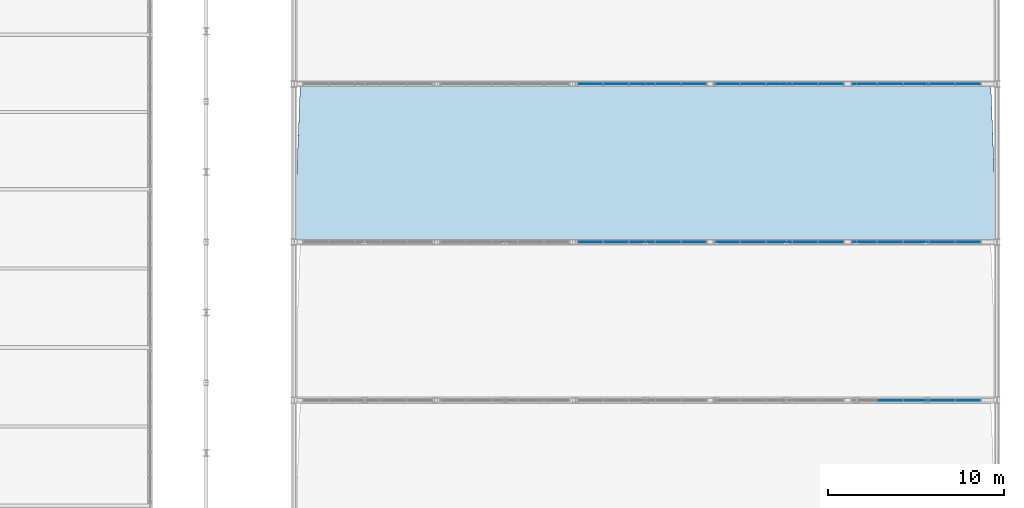
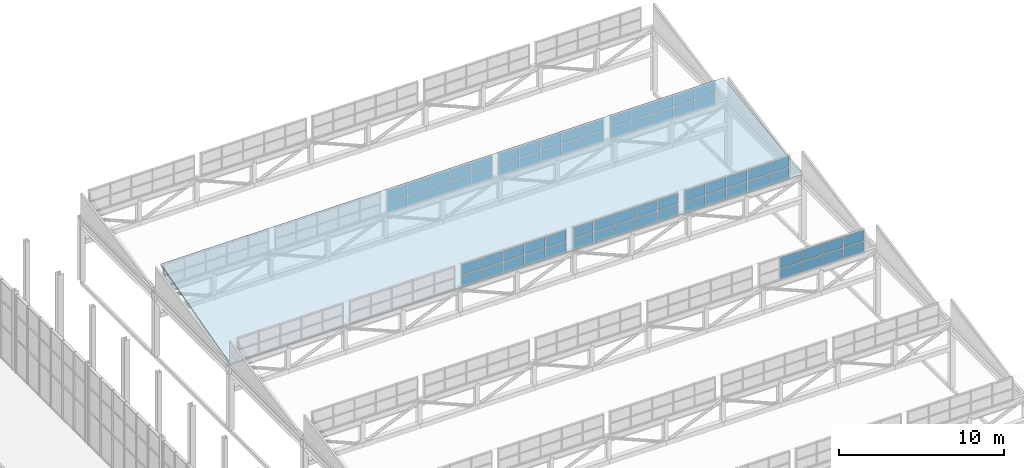
# One storey, part 118 of 159: 68 plates, 1 slab, 7 elements without a shape of their own.
"""IFC4 building model written with IfcOpenShell, lengths in metres."""

from ifc_helpers import new_model, si_unit, direction, frame, origin, origin_2d, place, context, subcontext, project, spatial, polyline, rectangle, outline, extrude, material, layer, layer_set, type_object, element, aggregate, save


model = new_model("IFC4")

# Units and contexts
model_context = context("Model", 3, precision=1e-05, world=origin(), true_north=direction((0.0, 1.0)))
body_context = subcontext(model_context, "Body", "Model", "MODEL_VIEW")
ifc_project = project(units=[si_unit("LENGTHUNIT", "METRE"), si_unit("AREAUNIT", "SQUARE_METRE"), si_unit("VOLUMEUNIT", "CUBIC_METRE"), si_unit("PLANEANGLEUNIT", "RADIAN"), si_unit("MASSUNIT", "GRAM", prefix="KILO")], contexts=[model_context])

# Site, building, storey
site_placement = place(None, origin())
site = spatial("IfcSite", under=ifc_project, at=site_placement, CompositionType="ELEMENT")
building_placement = place(site_placement, origin())
building = spatial("IfcBuilding", under=site, at=building_placement, Name="Cazmaro Siding Exhibition Halls", CompositionType="ELEMENT")
storey_placement = place(building_placement, frame((0.0, 0.0, 6.0)))
storey = spatial("IfcBuildingStorey", under=building, at=storey_placement, Name="L01", CompositionType="ELEMENT", Elevation=6.0)

# Curtain wall, plates
ifc_material_1 = material(Name="Anodized Bronze Aluminum and Solar-Control Low-E Glazing", Category="aluminium")
ifc_layer_1 = layer(ifc_material_1, 0.159912109375)
ifc_layer_set_1 = layer_set([ifc_layer_1], Name="Anodized Bronze Aluminum and Solar-Control Low-E Glazing")
curtain_wall_type = type_object("IfcCurtainWallType", Name="CWS-04", PredefinedType="USERDEFINED", material=ifc_layer_set_1)
curtain_wall_1_placement = place(storey_placement, origin())
curtain_wall_1 = element("IfcCurtainWall", 1, at=curtain_wall_1_placement, inside=storey, type_object=curtain_wall_type, Name="Clerestory Curtain Wall CWS-04 CW-124", ObjectType="CLERESTORY CURTAIN WALL", PredefinedType="USERDEFINED")
ifc_material_2 = material(Name="Solar-Control Low-E Double Insulating Glass", Category="glass")
ifc_layer_2 = layer(ifc_material_2, 0.028076171875)
ifc_layer_set_2 = layer_set([ifc_layer_2], Name="Solar-Control Low-E Double Insulating Glass")
plate_type = type_object("IfcPlateType", Name="CWP-04", PredefinedType="CURTAIN_PANEL", material=ifc_layer_set_2)
plate_1_placement = place(storey_placement, frame((214.344970703125, 91.0, 4.85986328125), z_axis=(0.0, 0.0, 1.0), x_axis=(-1.0, 0.0, 0.0)))
plate_1 = element("IfcPlate", 2, at=plate_1_placement, type_object=plate_type, Name="CWS-04 panel 1.1", PredefinedType="CURTAIN_PANEL", context=body_context, shape_type="SweptSolid", body=[
    extrude(rectangle(XDim=1.389892578125, YDim=0.028076171875, at=origin_2d()), origin(), (0.0, 0.0, 1.0), 0.7900390625),
])
plate_2_placement = place(storey_placement, frame((214.344970703125, 91.0, 5.7099609375), z_axis=(0.0, 0.0, 1.0), x_axis=(-1.0, 0.0, 0.0)))
plate_2 = element("IfcPlate", 3, at=plate_2_placement, type_object=plate_type, Name="CWS-04 panel 1.2", PredefinedType="CURTAIN_PANEL", context=body_context, shape_type="SweptSolid", body=[
    extrude(rectangle(XDim=1.389892578125, YDim=0.028076171875, at=origin_2d()), origin(), (0.0, 0.0, 1.0), 0.780029296875),
])
plate_3_placement = place(storey_placement, frame((212.8798828125, 91.0, 4.85986328125), z_axis=(0.0, 0.0, 1.0), x_axis=(-1.0, 0.0, 0.0)))
plate_3 = element("IfcPlate", 4, at=plate_3_placement, type_object=plate_type, Name="CWS-04 panel 2.1", PredefinedType="CURTAIN_PANEL", context=body_context, shape_type="SweptSolid", body=[
    extrude(rectangle(XDim=1.419921875, YDim=0.028076171875, at=origin_2d()), origin(), (0.0, 0.0, 1.0), 0.7900390625),
])
plate_4_placement = place(storey_placement, frame((212.8798828125, 91.0, 5.7099609375), z_axis=(0.0, 0.0, 1.0), x_axis=(-1.0, 0.0, 0.0)))
plate_4 = element("IfcPlate", 5, at=plate_4_placement, type_object=plate_type, Name="CWS-04 panel 2.2", PredefinedType="CURTAIN_PANEL", context=body_context, shape_type="SweptSolid", body=[
    extrude(rectangle(XDim=1.419921875, YDim=0.028076171875, at=origin_2d()), origin(), (0.0, 0.0, 1.0), 0.780029296875),
])
plate_5_placement = place(storey_placement, frame((211.39990234375, 91.0, 4.85986328125), z_axis=(0.0, 0.0, 1.0), x_axis=(-1.0, 0.0, 0.0)))
plate_5 = element("IfcPlate", 6, at=plate_5_placement, type_object=plate_type, Name="CWS-04 panel 3.1", PredefinedType="CURTAIN_PANEL", context=body_context, shape_type="SweptSolid", body=[
    extrude(rectangle(XDim=1.419921875, YDim=0.028076171875, at=origin_2d()), origin(), (0.0, 0.0, 1.0), 0.7900390625),
])
plate_6_placement = place(storey_placement, frame((211.39990234375, 91.0, 5.7099609375), z_axis=(0.0, 0.0, 1.0), x_axis=(-1.0, 0.0, 0.0)))
plate_6 = element("IfcPlate", 7, at=plate_6_placement, type_object=plate_type, Name="CWS-04 panel 3.2", PredefinedType="CURTAIN_PANEL", context=body_context, shape_type="SweptSolid", body=[
    extrude(rectangle(XDim=1.419921875, YDim=0.028076171875, at=origin_2d()), origin(), (0.0, 0.0, 1.0), 0.780029296875),
])
plate_7_placement = place(storey_placement, frame((209.919921875, 91.0, 4.85986328125), z_axis=(0.0, 0.0, 1.0), x_axis=(-1.0, 0.0, 0.0)))
plate_7 = element("IfcPlate", 8, at=plate_7_placement, type_object=plate_type, Name="CWS-04 panel 4.1", PredefinedType="CURTAIN_PANEL", context=body_context, shape_type="SweptSolid", body=[
    extrude(rectangle(XDim=1.419921875, YDim=0.028076171875, at=origin_2d()), origin(), (0.0, 0.0, 1.0), 0.7900390625),
])
plate_8_placement = place(storey_placement, frame((209.919921875, 91.0, 5.7099609375), z_axis=(0.0, 0.0, 1.0), x_axis=(-1.0, 0.0, 0.0)))
plate_8 = element("IfcPlate", 9, at=plate_8_placement, type_object=plate_type, Name="CWS-04 panel 4.2", PredefinedType="CURTAIN_PANEL", context=body_context, shape_type="SweptSolid", body=[
    extrude(rectangle(XDim=1.419921875, YDim=0.028076171875, at=origin_2d()), origin(), (0.0, 0.0, 1.0), 0.780029296875),
])
aggregate(curtain_wall_1, [plate_1, plate_2, plate_3, plate_4, plate_5, plate_6, plate_7, plate_8])

curtain_wall_2_placement = place(storey_placement, origin())
curtain_wall_2 = element("IfcCurtainWall", 10, at=curtain_wall_2_placement, inside=storey, type_object=curtain_wall_type, Name="Clerestory Curtain Wall CWS-04 CW-127", ObjectType="CLERESTORY CURTAIN WALL", PredefinedType="USERDEFINED")
plate_9_placement = place(storey_placement, frame((198.7451171875, 100.0, 4.85986328125), z_axis=(0.0, 0.0, 1.0), x_axis=(-1.0, 0.0, 0.0)))
plate_9 = element("IfcPlate", 11, at=plate_9_placement, type_object=plate_type, Name="CWS-04 panel 1.1", PredefinedType="CURTAIN_PANEL", context=body_context, shape_type="SweptSolid", body=[
    extrude(rectangle(XDim=1.389892578125, YDim=0.028076171875, at=origin_2d()), origin(), (0.0, 0.0, 1.0), 0.7900390625),
])
plate_10_placement = place(storey_placement, frame((198.7451171875, 100.0, 5.7099609375), z_axis=(0.0, 0.0, 1.0), x_axis=(-1.0, 0.0, 0.0)))
plate_10 = element("IfcPlate", 12, at=plate_10_placement, type_object=plate_type, Name="CWS-04 panel 1.2", PredefinedType="CURTAIN_PANEL", context=body_context, shape_type="SweptSolid", body=[
    extrude(rectangle(XDim=1.389892578125, YDim=0.028076171875, at=origin_2d()), origin(), (0.0, 0.0, 1.0), 0.780029296875),
])
plate_11_placement = place(storey_placement, frame((197.280029296875, 100.0, 4.85986328125), z_axis=(0.0, 0.0, 1.0), x_axis=(-1.0, 0.0, 0.0)))
plate_11 = element("IfcPlate", 13, at=plate_11_placement, type_object=plate_type, Name="CWS-04 panel 2.1", PredefinedType="CURTAIN_PANEL", context=body_context, shape_type="SweptSolid", body=[
    extrude(rectangle(XDim=1.419921875, YDim=0.028076171875, at=origin_2d()), origin(), (0.0, 0.0, 1.0), 0.7900390625),
])
plate_12_placement = place(storey_placement, frame((197.280029296875, 100.0, 5.7099609375), z_axis=(0.0, 0.0, 1.0), x_axis=(-1.0, 0.0, 0.0)))
plate_12 = element("IfcPlate", 14, at=plate_12_placement, type_object=plate_type, Name="CWS-04 panel 2.2", PredefinedType="CURTAIN_PANEL", context=body_context, shape_type="SweptSolid", body=[
    extrude(rectangle(XDim=1.419921875, YDim=0.028076171875, at=origin_2d()), origin(), (0.0, 0.0, 1.0), 0.780029296875),
])
plate_13_placement = place(storey_placement, frame((195.800048828125, 100.0, 4.85986328125), z_axis=(0.0, 0.0, 1.0), x_axis=(-1.0, 0.0, 0.0)))
plate_13 = element("IfcPlate", 15, at=plate_13_placement, type_object=plate_type, Name="CWS-04 panel 3.1", PredefinedType="CURTAIN_PANEL", context=body_context, shape_type="SweptSolid", body=[
    extrude(rectangle(XDim=1.419921875, YDim=0.028076171875, at=origin_2d()), origin(), (0.0, 0.0, 1.0), 0.7900390625),
])
plate_14_placement = place(storey_placement, frame((195.800048828125, 100.0, 5.7099609375), z_axis=(0.0, 0.0, 1.0), x_axis=(-1.0, 0.0, 0.0)))
plate_14 = element("IfcPlate", 16, at=plate_14_placement, type_object=plate_type, Name="CWS-04 panel 3.2", PredefinedType="CURTAIN_PANEL", context=body_context, shape_type="SweptSolid", body=[
    extrude(rectangle(XDim=1.419921875, YDim=0.028076171875, at=origin_2d()), origin(), (0.0, 0.0, 1.0), 0.780029296875),
])
plate_15_placement = place(storey_placement, frame((194.320068359375, 100.0, 4.85986328125), z_axis=(0.0, 0.0, 1.0), x_axis=(-1.0, 0.0, 0.0)))
plate_15 = element("IfcPlate", 17, at=plate_15_placement, type_object=plate_type, Name="CWS-04 panel 4.1", PredefinedType="CURTAIN_PANEL", context=body_context, shape_type="SweptSolid", body=[
    extrude(rectangle(XDim=1.419921875, YDim=0.028076171875, at=origin_2d()), origin(), (0.0, 0.0, 1.0), 0.7900390625),
])
plate_16_placement = place(storey_placement, frame((194.320068359375, 100.0, 5.7099609375), z_axis=(0.0, 0.0, 1.0), x_axis=(-1.0, 0.0, 0.0)))
plate_16 = element("IfcPlate", 18, at=plate_16_placement, type_object=plate_type, Name="CWS-04 panel 4.2", PredefinedType="CURTAIN_PANEL", context=body_context, shape_type="SweptSolid", body=[
    extrude(rectangle(XDim=1.419921875, YDim=0.028076171875, at=origin_2d()), origin(), (0.0, 0.0, 1.0), 0.780029296875),
])
plate_17_placement = place(storey_placement, frame((192.85498046875, 100.0, 4.85986328125), z_axis=(0.0, 0.0, 1.0), x_axis=(-1.0, 0.0, 0.0)))
plate_17 = element("IfcPlate", 19, at=plate_17_placement, type_object=plate_type, Name="CWS-04 panel 5.1", PredefinedType="CURTAIN_PANEL", context=body_context, shape_type="SweptSolid", body=[
    extrude(rectangle(XDim=1.389892578125, YDim=0.028076171875, at=origin_2d()), origin(), (0.0, 0.0, 1.0), 0.7900390625),
])
plate_18_placement = place(storey_placement, frame((192.85498046875, 100.0, 5.7099609375), z_axis=(0.0, 0.0, 1.0), x_axis=(-1.0, 0.0, 0.0)))
plate_18 = element("IfcPlate", 20, at=plate_18_placement, type_object=plate_type, Name="CWS-04 panel 5.2", PredefinedType="CURTAIN_PANEL", context=body_context, shape_type="SweptSolid", body=[
    extrude(rectangle(XDim=1.389892578125, YDim=0.028076171875, at=origin_2d()), origin(), (0.0, 0.0, 1.0), 0.780029296875),
])
aggregate(curtain_wall_2, [plate_9, plate_10, plate_11, plate_12, plate_13, plate_14, plate_15, plate_16, plate_17, plate_18])

curtain_wall_3_placement = place(storey_placement, origin())
curtain_wall_3 = element("IfcCurtainWall", 21, at=curtain_wall_3_placement, inside=storey, type_object=curtain_wall_type, Name="Clerestory Curtain Wall CWS-04 CW-128", ObjectType="CLERESTORY CURTAIN WALL", PredefinedType="USERDEFINED")
plate_19_placement = place(storey_placement, frame((206.544921875, 100.0, 4.85986328125), z_axis=(0.0, 0.0, 1.0), x_axis=(-1.0, 0.0, 0.0)))
plate_19 = element("IfcPlate", 22, at=plate_19_placement, type_object=plate_type, Name="CWS-04 panel 1.1", PredefinedType="CURTAIN_PANEL", context=body_context, shape_type="SweptSolid", body=[
    extrude(rectangle(XDim=1.389892578125, YDim=0.028076171875, at=origin_2d()), origin(), (0.0, 0.0, 1.0), 0.7900390625),
])
plate_20_placement = place(storey_placement, frame((206.544921875, 100.0, 5.7099609375), z_axis=(0.0, 0.0, 1.0), x_axis=(-1.0, 0.0, 0.0)))
plate_20 = element("IfcPlate", 23, at=plate_20_placement, type_object=plate_type, Name="CWS-04 panel 1.2", PredefinedType="CURTAIN_PANEL", context=body_context, shape_type="SweptSolid", body=[
    extrude(rectangle(XDim=1.389892578125, YDim=0.028076171875, at=origin_2d()), origin(), (0.0, 0.0, 1.0), 0.780029296875),
])
plate_21_placement = place(storey_placement, frame((205.080078125, 100.0, 4.85986328125), z_axis=(0.0, 0.0, 1.0), x_axis=(-1.0, 0.0, 0.0)))
plate_21 = element("IfcPlate", 24, at=plate_21_placement, type_object=plate_type, Name="CWS-04 panel 2.1", PredefinedType="CURTAIN_PANEL", context=body_context, shape_type="SweptSolid", body=[
    extrude(rectangle(XDim=1.419921875, YDim=0.028076171875, at=origin_2d()), origin(), (0.0, 0.0, 1.0), 0.7900390625),
])
plate_22_placement = place(storey_placement, frame((205.080078125, 100.0, 5.7099609375), z_axis=(0.0, 0.0, 1.0), x_axis=(-1.0, 0.0, 0.0)))
plate_22 = element("IfcPlate", 25, at=plate_22_placement, type_object=plate_type, Name="CWS-04 panel 2.2", PredefinedType="CURTAIN_PANEL", context=body_context, shape_type="SweptSolid", body=[
    extrude(rectangle(XDim=1.419921875, YDim=0.028076171875, at=origin_2d()), origin(), (0.0, 0.0, 1.0), 0.780029296875),
])
plate_23_placement = place(storey_placement, frame((203.60009765625, 100.0, 4.85986328125), z_axis=(0.0, 0.0, 1.0), x_axis=(-1.0, 0.0, 0.0)))
plate_23 = element("IfcPlate", 26, at=plate_23_placement, type_object=plate_type, Name="CWS-04 panel 3.1", PredefinedType="CURTAIN_PANEL", context=body_context, shape_type="SweptSolid", body=[
    extrude(rectangle(XDim=1.419921875, YDim=0.028076171875, at=origin_2d()), origin(), (0.0, 0.0, 1.0), 0.7900390625),
])
plate_24_placement = place(storey_placement, frame((203.60009765625, 100.0, 5.7099609375), z_axis=(0.0, 0.0, 1.0), x_axis=(-1.0, 0.0, 0.0)))
plate_24 = element("IfcPlate", 27, at=plate_24_placement, type_object=plate_type, Name="CWS-04 panel 3.2", PredefinedType="CURTAIN_PANEL", context=body_context, shape_type="SweptSolid", body=[
    extrude(rectangle(XDim=1.419921875, YDim=0.028076171875, at=origin_2d()), origin(), (0.0, 0.0, 1.0), 0.780029296875),
])
plate_25_placement = place(storey_placement, frame((202.1201171875, 100.0, 4.85986328125), z_axis=(0.0, 0.0, 1.0), x_axis=(-1.0, 0.0, 0.0)))
plate_25 = element("IfcPlate", 28, at=plate_25_placement, type_object=plate_type, Name="CWS-04 panel 4.1", PredefinedType="CURTAIN_PANEL", context=body_context, shape_type="SweptSolid", body=[
    extrude(rectangle(XDim=1.419921875, YDim=0.028076171875, at=origin_2d()), origin(), (0.0, 0.0, 1.0), 0.7900390625),
])
plate_26_placement = place(storey_placement, frame((202.1201171875, 100.0, 5.7099609375), z_axis=(0.0, 0.0, 1.0), x_axis=(-1.0, 0.0, 0.0)))
plate_26 = element("IfcPlate", 29, at=plate_26_placement, type_object=plate_type, Name="CWS-04 panel 4.2", PredefinedType="CURTAIN_PANEL", context=body_context, shape_type="SweptSolid", body=[
    extrude(rectangle(XDim=1.419921875, YDim=0.028076171875, at=origin_2d()), origin(), (0.0, 0.0, 1.0), 0.780029296875),
])
plate_27_placement = place(storey_placement, frame((200.655029296875, 100.0, 4.85986328125), z_axis=(0.0, 0.0, 1.0), x_axis=(-1.0, 0.0, 0.0)))
plate_27 = element("IfcPlate", 30, at=plate_27_placement, type_object=plate_type, Name="CWS-04 panel 5.1", PredefinedType="CURTAIN_PANEL", context=body_context, shape_type="SweptSolid", body=[
    extrude(rectangle(XDim=1.389892578125, YDim=0.028076171875, at=origin_2d()), origin(), (0.0, 0.0, 1.0), 0.7900390625),
])
plate_28_placement = place(storey_placement, frame((200.655029296875, 100.0, 5.7099609375), z_axis=(0.0, 0.0, 1.0), x_axis=(-1.0, 0.0, 0.0)))
plate_28 = element("IfcPlate", 31, at=plate_28_placement, type_object=plate_type, Name="CWS-04 panel 5.2", PredefinedType="CURTAIN_PANEL", context=body_context, shape_type="SweptSolid", body=[
    extrude(rectangle(XDim=1.389892578125, YDim=0.028076171875, at=origin_2d()), origin(), (0.0, 0.0, 1.0), 0.780029296875),
])
aggregate(curtain_wall_3, [plate_19, plate_20, plate_21, plate_22, plate_23, plate_24, plate_25, plate_26, plate_27, plate_28])

curtain_wall_4_placement = place(storey_placement, origin())
curtain_wall_4 = element("IfcCurtainWall", 32, at=curtain_wall_4_placement, inside=storey, type_object=curtain_wall_type, Name="Clerestory Curtain Wall CWS-04 CW-129", ObjectType="CLERESTORY CURTAIN WALL", PredefinedType="USERDEFINED")
plate_29_placement = place(storey_placement, frame((214.344970703125, 100.0, 4.85986328125), z_axis=(0.0, 0.0, 1.0), x_axis=(-1.0, 0.0, 0.0)))
plate_29 = element("IfcPlate", 33, at=plate_29_placement, type_object=plate_type, Name="CWS-04 panel 1.1", PredefinedType="CURTAIN_PANEL", context=body_context, shape_type="SweptSolid", body=[
    extrude(rectangle(XDim=1.389892578125, YDim=0.028076171875, at=origin_2d()), origin(), (0.0, 0.0, 1.0), 0.7900390625),
])
plate_30_placement = place(storey_placement, frame((214.344970703125, 100.0, 5.7099609375), z_axis=(0.0, 0.0, 1.0), x_axis=(-1.0, 0.0, 0.0)))
plate_30 = element("IfcPlate", 34, at=plate_30_placement, type_object=plate_type, Name="CWS-04 panel 1.2", PredefinedType="CURTAIN_PANEL", context=body_context, shape_type="SweptSolid", body=[
    extrude(rectangle(XDim=1.389892578125, YDim=0.028076171875, at=origin_2d()), origin(), (0.0, 0.0, 1.0), 0.780029296875),
])
plate_31_placement = place(storey_placement, frame((212.8798828125, 100.0, 4.85986328125), z_axis=(0.0, 0.0, 1.0), x_axis=(-1.0, 0.0, 0.0)))
plate_31 = element("IfcPlate", 35, at=plate_31_placement, type_object=plate_type, Name="CWS-04 panel 2.1", PredefinedType="CURTAIN_PANEL", context=body_context, shape_type="SweptSolid", body=[
    extrude(rectangle(XDim=1.419921875, YDim=0.028076171875, at=origin_2d()), origin(), (0.0, 0.0, 1.0), 0.7900390625),
])
plate_32_placement = place(storey_placement, frame((212.8798828125, 100.0, 5.7099609375), z_axis=(0.0, 0.0, 1.0), x_axis=(-1.0, 0.0, 0.0)))
plate_32 = element("IfcPlate", 36, at=plate_32_placement, type_object=plate_type, Name="CWS-04 panel 2.2", PredefinedType="CURTAIN_PANEL", context=body_context, shape_type="SweptSolid", body=[
    extrude(rectangle(XDim=1.419921875, YDim=0.028076171875, at=origin_2d()), origin(), (0.0, 0.0, 1.0), 0.780029296875),
])
plate_33_placement = place(storey_placement, frame((211.39990234375, 100.0, 4.85986328125), z_axis=(0.0, 0.0, 1.0), x_axis=(-1.0, 0.0, 0.0)))
plate_33 = element("IfcPlate", 37, at=plate_33_placement, type_object=plate_type, Name="CWS-04 panel 3.1", PredefinedType="CURTAIN_PANEL", context=body_context, shape_type="SweptSolid", body=[
    extrude(rectangle(XDim=1.419921875, YDim=0.028076171875, at=origin_2d()), origin(), (0.0, 0.0, 1.0), 0.7900390625),
])
plate_34_placement = place(storey_placement, frame((211.39990234375, 100.0, 5.7099609375), z_axis=(0.0, 0.0, 1.0), x_axis=(-1.0, 0.0, 0.0)))
plate_34 = element("IfcPlate", 38, at=plate_34_placement, type_object=plate_type, Name="CWS-04 panel 3.2", PredefinedType="CURTAIN_PANEL", context=body_context, shape_type="SweptSolid", body=[
    extrude(rectangle(XDim=1.419921875, YDim=0.028076171875, at=origin_2d()), origin(), (0.0, 0.0, 1.0), 0.780029296875),
])
plate_35_placement = place(storey_placement, frame((209.919921875, 100.0, 4.85986328125), z_axis=(0.0, 0.0, 1.0), x_axis=(-1.0, 0.0, 0.0)))
plate_35 = element("IfcPlate", 39, at=plate_35_placement, type_object=plate_type, Name="CWS-04 panel 4.1", PredefinedType="CURTAIN_PANEL", context=body_context, shape_type="SweptSolid", body=[
    extrude(rectangle(XDim=1.419921875, YDim=0.028076171875, at=origin_2d()), origin(), (0.0, 0.0, 1.0), 0.7900390625),
])
plate_36_placement = place(storey_placement, frame((209.919921875, 100.0, 5.7099609375), z_axis=(0.0, 0.0, 1.0), x_axis=(-1.0, 0.0, 0.0)))
plate_36 = element("IfcPlate", 40, at=plate_36_placement, type_object=plate_type, Name="CWS-04 panel 4.2", PredefinedType="CURTAIN_PANEL", context=body_context, shape_type="SweptSolid", body=[
    extrude(rectangle(XDim=1.419921875, YDim=0.028076171875, at=origin_2d()), origin(), (0.0, 0.0, 1.0), 0.780029296875),
])
plate_37_placement = place(storey_placement, frame((208.455078125, 100.0, 4.85986328125), z_axis=(0.0, 0.0, 1.0), x_axis=(-1.0, 0.0, 0.0)))
plate_37 = element("IfcPlate", 41, at=plate_37_placement, type_object=plate_type, Name="CWS-04 panel 5.1", PredefinedType="CURTAIN_PANEL", context=body_context, shape_type="SweptSolid", body=[
    extrude(rectangle(XDim=1.389892578125, YDim=0.028076171875, at=origin_2d()), origin(), (0.0, 0.0, 1.0), 0.7900390625),
])
plate_38_placement = place(storey_placement, frame((208.455078125, 100.0, 5.7099609375), z_axis=(0.0, 0.0, 1.0), x_axis=(-1.0, 0.0, 0.0)))
plate_38 = element("IfcPlate", 42, at=plate_38_placement, type_object=plate_type, Name="CWS-04 panel 5.2", PredefinedType="CURTAIN_PANEL", context=body_context, shape_type="SweptSolid", body=[
    extrude(rectangle(XDim=1.389892578125, YDim=0.028076171875, at=origin_2d()), origin(), (0.0, 0.0, 1.0), 0.780029296875),
])
aggregate(curtain_wall_4, [plate_29, plate_30, plate_31, plate_32, plate_33, plate_34, plate_35, plate_36, plate_37, plate_38])

curtain_wall_5_placement = place(storey_placement, origin())
curtain_wall_5 = element("IfcCurtainWall", 43, at=curtain_wall_5_placement, inside=storey, type_object=curtain_wall_type, Name="Clerestory Curtain Wall CWS-04 CW-132", ObjectType="CLERESTORY CURTAIN WALL", PredefinedType="USERDEFINED")
plate_39_placement = place(storey_placement, frame((198.7451171875, 109.0, 4.85986328125), z_axis=(0.0, 0.0, 1.0), x_axis=(-1.0, 0.0, 0.0)))
plate_39 = element("IfcPlate", 44, at=plate_39_placement, type_object=plate_type, Name="CWS-04 panel 1.1", PredefinedType="CURTAIN_PANEL", context=body_context, shape_type="SweptSolid", body=[
    extrude(rectangle(XDim=1.389892578125, YDim=0.028076171875, at=origin_2d()), origin(), (0.0, 0.0, 1.0), 0.7900390625),
])
plate_40_placement = place(storey_placement, frame((198.7451171875, 109.0, 5.7099609375), z_axis=(0.0, 0.0, 1.0), x_axis=(-1.0, 0.0, 0.0)))
plate_40 = element("IfcPlate", 45, at=plate_40_placement, type_object=plate_type, Name="CWS-04 panel 1.2", PredefinedType="CURTAIN_PANEL", context=body_context, shape_type="SweptSolid", body=[
    extrude(rectangle(XDim=1.389892578125, YDim=0.028076171875, at=origin_2d()), origin(), (0.0, 0.0, 1.0), 0.780029296875),
])
plate_41_placement = place(storey_placement, frame((197.280029296875, 109.0, 4.85986328125), z_axis=(0.0, 0.0, 1.0), x_axis=(-1.0, 0.0, 0.0)))
plate_41 = element("IfcPlate", 46, at=plate_41_placement, type_object=plate_type, Name="CWS-04 panel 2.1", PredefinedType="CURTAIN_PANEL", context=body_context, shape_type="SweptSolid", body=[
    extrude(rectangle(XDim=1.419921875, YDim=0.028076171875, at=origin_2d()), origin(), (0.0, 0.0, 1.0), 0.7900390625),
])
plate_42_placement = place(storey_placement, frame((197.280029296875, 109.0, 5.7099609375), z_axis=(0.0, 0.0, 1.0), x_axis=(-1.0, 0.0, 0.0)))
plate_42 = element("IfcPlate", 47, at=plate_42_placement, type_object=plate_type, Name="CWS-04 panel 2.2", PredefinedType="CURTAIN_PANEL", context=body_context, shape_type="SweptSolid", body=[
    extrude(rectangle(XDim=1.419921875, YDim=0.028076171875, at=origin_2d()), origin(), (0.0, 0.0, 1.0), 0.780029296875),
])
plate_43_placement = place(storey_placement, frame((195.800048828125, 109.0, 4.85986328125), z_axis=(0.0, 0.0, 1.0), x_axis=(-1.0, 0.0, 0.0)))
plate_43 = element("IfcPlate", 48, at=plate_43_placement, type_object=plate_type, Name="CWS-04 panel 3.1", PredefinedType="CURTAIN_PANEL", context=body_context, shape_type="SweptSolid", body=[
    extrude(rectangle(XDim=1.419921875, YDim=0.028076171875, at=origin_2d()), origin(), (0.0, 0.0, 1.0), 0.7900390625),
])
plate_44_placement = place(storey_placement, frame((195.800048828125, 109.0, 5.7099609375), z_axis=(0.0, 0.0, 1.0), x_axis=(-1.0, 0.0, 0.0)))
plate_44 = element("IfcPlate", 49, at=plate_44_placement, type_object=plate_type, Name="CWS-04 panel 3.2", PredefinedType="CURTAIN_PANEL", context=body_context, shape_type="SweptSolid", body=[
    extrude(rectangle(XDim=1.419921875, YDim=0.028076171875, at=origin_2d()), origin(), (0.0, 0.0, 1.0), 0.780029296875),
])
plate_45_placement = place(storey_placement, frame((194.320068359375, 109.0, 4.85986328125), z_axis=(0.0, 0.0, 1.0), x_axis=(-1.0, 0.0, 0.0)))
plate_45 = element("IfcPlate", 50, at=plate_45_placement, type_object=plate_type, Name="CWS-04 panel 4.1", PredefinedType="CURTAIN_PANEL", context=body_context, shape_type="SweptSolid", body=[
    extrude(rectangle(XDim=1.419921875, YDim=0.028076171875, at=origin_2d()), origin(), (0.0, 0.0, 1.0), 0.7900390625),
])
plate_46_placement = place(storey_placement, frame((194.320068359375, 109.0, 5.7099609375), z_axis=(0.0, 0.0, 1.0), x_axis=(-1.0, 0.0, 0.0)))
plate_46 = element("IfcPlate", 51, at=plate_46_placement, type_object=plate_type, Name="CWS-04 panel 4.2", PredefinedType="CURTAIN_PANEL", context=body_context, shape_type="SweptSolid", body=[
    extrude(rectangle(XDim=1.419921875, YDim=0.028076171875, at=origin_2d()), origin(), (0.0, 0.0, 1.0), 0.780029296875),
])
plate_47_placement = place(storey_placement, frame((192.85498046875, 109.0, 4.85986328125), z_axis=(0.0, 0.0, 1.0), x_axis=(-1.0, 0.0, 0.0)))
plate_47 = element("IfcPlate", 52, at=plate_47_placement, type_object=plate_type, Name="CWS-04 panel 5.1", PredefinedType="CURTAIN_PANEL", context=body_context, shape_type="SweptSolid", body=[
    extrude(rectangle(XDim=1.389892578125, YDim=0.028076171875, at=origin_2d()), origin(), (0.0, 0.0, 1.0), 0.7900390625),
])
plate_48_placement = place(storey_placement, frame((192.85498046875, 109.0, 5.7099609375), z_axis=(0.0, 0.0, 1.0), x_axis=(-1.0, 0.0, 0.0)))
plate_48 = element("IfcPlate", 53, at=plate_48_placement, type_object=plate_type, Name="CWS-04 panel 5.2", PredefinedType="CURTAIN_PANEL", context=body_context, shape_type="SweptSolid", body=[
    extrude(rectangle(XDim=1.389892578125, YDim=0.028076171875, at=origin_2d()), origin(), (0.0, 0.0, 1.0), 0.780029296875),
])
aggregate(curtain_wall_5, [plate_39, plate_40, plate_41, plate_42, plate_43, plate_44, plate_45, plate_46, plate_47, plate_48])

curtain_wall_6_placement = place(storey_placement, origin())
curtain_wall_6 = element("IfcCurtainWall", 54, at=curtain_wall_6_placement, inside=storey, type_object=curtain_wall_type, Name="Clerestory Curtain Wall CWS-04 CW-133", ObjectType="CLERESTORY CURTAIN WALL", PredefinedType="USERDEFINED")
plate_49_placement = place(storey_placement, frame((206.544921875, 109.0, 4.85986328125), z_axis=(0.0, 0.0, 1.0), x_axis=(-1.0, 0.0, 0.0)))
plate_49 = element("IfcPlate", 55, at=plate_49_placement, type_object=plate_type, Name="CWS-04 panel 1.1", PredefinedType="CURTAIN_PANEL", context=body_context, shape_type="SweptSolid", body=[
    extrude(rectangle(XDim=1.389892578125, YDim=0.028076171875, at=origin_2d()), origin(), (0.0, 0.0, 1.0), 0.7900390625),
])
plate_50_placement = place(storey_placement, frame((206.544921875, 109.0, 5.7099609375), z_axis=(0.0, 0.0, 1.0), x_axis=(-1.0, 0.0, 0.0)))
plate_50 = element("IfcPlate", 56, at=plate_50_placement, type_object=plate_type, Name="CWS-04 panel 1.2", PredefinedType="CURTAIN_PANEL", context=body_context, shape_type="SweptSolid", body=[
    extrude(rectangle(XDim=1.389892578125, YDim=0.028076171875, at=origin_2d()), origin(), (0.0, 0.0, 1.0), 0.780029296875),
])
plate_51_placement = place(storey_placement, frame((205.080078125, 109.0, 4.85986328125), z_axis=(0.0, 0.0, 1.0), x_axis=(-1.0, 0.0, 0.0)))
plate_51 = element("IfcPlate", 57, at=plate_51_placement, type_object=plate_type, Name="CWS-04 panel 2.1", PredefinedType="CURTAIN_PANEL", context=body_context, shape_type="SweptSolid", body=[
    extrude(rectangle(XDim=1.419921875, YDim=0.028076171875, at=origin_2d()), origin(), (0.0, 0.0, 1.0), 0.7900390625),
])
plate_52_placement = place(storey_placement, frame((205.080078125, 109.0, 5.7099609375), z_axis=(0.0, 0.0, 1.0), x_axis=(-1.0, 0.0, 0.0)))
plate_52 = element("IfcPlate", 58, at=plate_52_placement, type_object=plate_type, Name="CWS-04 panel 2.2", PredefinedType="CURTAIN_PANEL", context=body_context, shape_type="SweptSolid", body=[
    extrude(rectangle(XDim=1.419921875, YDim=0.028076171875, at=origin_2d()), origin(), (0.0, 0.0, 1.0), 0.780029296875),
])
plate_53_placement = place(storey_placement, frame((203.60009765625, 109.0, 4.85986328125), z_axis=(0.0, 0.0, 1.0), x_axis=(-1.0, 0.0, 0.0)))
plate_53 = element("IfcPlate", 59, at=plate_53_placement, type_object=plate_type, Name="CWS-04 panel 3.1", PredefinedType="CURTAIN_PANEL", context=body_context, shape_type="SweptSolid", body=[
    extrude(rectangle(XDim=1.419921875, YDim=0.028076171875, at=origin_2d()), origin(), (0.0, 0.0, 1.0), 0.7900390625),
])
plate_54_placement = place(storey_placement, frame((203.60009765625, 109.0, 5.7099609375), z_axis=(0.0, 0.0, 1.0), x_axis=(-1.0, 0.0, 0.0)))
plate_54 = element("IfcPlate", 60, at=plate_54_placement, type_object=plate_type, Name="CWS-04 panel 3.2", PredefinedType="CURTAIN_PANEL", context=body_context, shape_type="SweptSolid", body=[
    extrude(rectangle(XDim=1.419921875, YDim=0.028076171875, at=origin_2d()), origin(), (0.0, 0.0, 1.0), 0.780029296875),
])
plate_55_placement = place(storey_placement, frame((202.1201171875, 109.0, 4.85986328125), z_axis=(0.0, 0.0, 1.0), x_axis=(-1.0, 0.0, 0.0)))
plate_55 = element("IfcPlate", 61, at=plate_55_placement, type_object=plate_type, Name="CWS-04 panel 4.1", PredefinedType="CURTAIN_PANEL", context=body_context, shape_type="SweptSolid", body=[
    extrude(rectangle(XDim=1.419921875, YDim=0.028076171875, at=origin_2d()), origin(), (0.0, 0.0, 1.0), 0.7900390625),
])
plate_56_placement = place(storey_placement, frame((202.1201171875, 109.0, 5.7099609375), z_axis=(0.0, 0.0, 1.0), x_axis=(-1.0, 0.0, 0.0)))
plate_56 = element("IfcPlate", 62, at=plate_56_placement, type_object=plate_type, Name="CWS-04 panel 4.2", PredefinedType="CURTAIN_PANEL", context=body_context, shape_type="SweptSolid", body=[
    extrude(rectangle(XDim=1.419921875, YDim=0.028076171875, at=origin_2d()), origin(), (0.0, 0.0, 1.0), 0.780029296875),
])
plate_57_placement = place(storey_placement, frame((200.655029296875, 109.0, 4.85986328125), z_axis=(0.0, 0.0, 1.0), x_axis=(-1.0, 0.0, 0.0)))
plate_57 = element("IfcPlate", 63, at=plate_57_placement, type_object=plate_type, Name="CWS-04 panel 5.1", PredefinedType="CURTAIN_PANEL", context=body_context, shape_type="SweptSolid", body=[
    extrude(rectangle(XDim=1.389892578125, YDim=0.028076171875, at=origin_2d()), origin(), (0.0, 0.0, 1.0), 0.7900390625),
])
plate_58_placement = place(storey_placement, frame((200.655029296875, 109.0, 5.7099609375), z_axis=(0.0, 0.0, 1.0), x_axis=(-1.0, 0.0, 0.0)))
plate_58 = element("IfcPlate", 64, at=plate_58_placement, type_object=plate_type, Name="CWS-04 panel 5.2", PredefinedType="CURTAIN_PANEL", context=body_context, shape_type="SweptSolid", body=[
    extrude(rectangle(XDim=1.389892578125, YDim=0.028076171875, at=origin_2d()), origin(), (0.0, 0.0, 1.0), 0.780029296875),
])
aggregate(curtain_wall_6, [plate_49, plate_50, plate_51, plate_52, plate_53, plate_54, plate_55, plate_56, plate_57, plate_58])

curtain_wall_7_placement = place(storey_placement, origin())
curtain_wall_7 = element("IfcCurtainWall", 65, at=curtain_wall_7_placement, inside=storey, type_object=curtain_wall_type, Name="Clerestory Curtain Wall CWS-04 CW-134", ObjectType="CLERESTORY CURTAIN WALL", PredefinedType="USERDEFINED")
plate_59_placement = place(storey_placement, frame((214.344970703125, 109.0, 4.85986328125), z_axis=(0.0, 0.0, 1.0), x_axis=(-1.0, 0.0, 0.0)))
plate_59 = element("IfcPlate", 66, at=plate_59_placement, type_object=plate_type, Name="CWS-04 panel 1.1", PredefinedType="CURTAIN_PANEL", context=body_context, shape_type="SweptSolid", body=[
    extrude(rectangle(XDim=1.389892578125, YDim=0.028076171875, at=origin_2d()), origin(), (0.0, 0.0, 1.0), 0.7900390625),
])
plate_60_placement = place(storey_placement, frame((214.344970703125, 109.0, 5.7099609375), z_axis=(0.0, 0.0, 1.0), x_axis=(-1.0, 0.0, 0.0)))
plate_60 = element("IfcPlate", 67, at=plate_60_placement, type_object=plate_type, Name="CWS-04 panel 1.2", PredefinedType="CURTAIN_PANEL", context=body_context, shape_type="SweptSolid", body=[
    extrude(rectangle(XDim=1.389892578125, YDim=0.028076171875, at=origin_2d()), origin(), (0.0, 0.0, 1.0), 0.780029296875),
])
plate_61_placement = place(storey_placement, frame((212.8798828125, 109.0, 4.85986328125), z_axis=(0.0, 0.0, 1.0), x_axis=(-1.0, 0.0, 0.0)))
plate_61 = element("IfcPlate", 68, at=plate_61_placement, type_object=plate_type, Name="CWS-04 panel 2.1", PredefinedType="CURTAIN_PANEL", context=body_context, shape_type="SweptSolid", body=[
    extrude(rectangle(XDim=1.419921875, YDim=0.028076171875, at=origin_2d()), origin(), (0.0, 0.0, 1.0), 0.7900390625),
])
plate_62_placement = place(storey_placement, frame((212.8798828125, 109.0, 5.7099609375), z_axis=(0.0, 0.0, 1.0), x_axis=(-1.0, 0.0, 0.0)))
plate_62 = element("IfcPlate", 69, at=plate_62_placement, type_object=plate_type, Name="CWS-04 panel 2.2", PredefinedType="CURTAIN_PANEL", context=body_context, shape_type="SweptSolid", body=[
    extrude(rectangle(XDim=1.419921875, YDim=0.028076171875, at=origin_2d()), origin(), (0.0, 0.0, 1.0), 0.780029296875),
])
plate_63_placement = place(storey_placement, frame((211.39990234375, 109.0, 4.85986328125), z_axis=(0.0, 0.0, 1.0), x_axis=(-1.0, 0.0, 0.0)))
plate_63 = element("IfcPlate", 70, at=plate_63_placement, type_object=plate_type, Name="CWS-04 panel 3.1", PredefinedType="CURTAIN_PANEL", context=body_context, shape_type="SweptSolid", body=[
    extrude(rectangle(XDim=1.419921875, YDim=0.028076171875, at=origin_2d()), origin(), (0.0, 0.0, 1.0), 0.7900390625),
])
plate_64_placement = place(storey_placement, frame((211.39990234375, 109.0, 5.7099609375), z_axis=(0.0, 0.0, 1.0), x_axis=(-1.0, 0.0, 0.0)))
plate_64 = element("IfcPlate", 71, at=plate_64_placement, type_object=plate_type, Name="CWS-04 panel 3.2", PredefinedType="CURTAIN_PANEL", context=body_context, shape_type="SweptSolid", body=[
    extrude(rectangle(XDim=1.419921875, YDim=0.028076171875, at=origin_2d()), origin(), (0.0, 0.0, 1.0), 0.780029296875),
])
plate_65_placement = place(storey_placement, frame((209.919921875, 109.0, 4.85986328125), z_axis=(0.0, 0.0, 1.0), x_axis=(-1.0, 0.0, 0.0)))
plate_65 = element("IfcPlate", 72, at=plate_65_placement, type_object=plate_type, Name="CWS-04 panel 4.1", PredefinedType="CURTAIN_PANEL", context=body_context, shape_type="SweptSolid", body=[
    extrude(rectangle(XDim=1.419921875, YDim=0.028076171875, at=origin_2d()), origin(), (0.0, 0.0, 1.0), 0.7900390625),
])
plate_66_placement = place(storey_placement, frame((209.919921875, 109.0, 5.7099609375), z_axis=(0.0, 0.0, 1.0), x_axis=(-1.0, 0.0, 0.0)))
plate_66 = element("IfcPlate", 73, at=plate_66_placement, type_object=plate_type, Name="CWS-04 panel 4.2", PredefinedType="CURTAIN_PANEL", context=body_context, shape_type="SweptSolid", body=[
    extrude(rectangle(XDim=1.419921875, YDim=0.028076171875, at=origin_2d()), origin(), (0.0, 0.0, 1.0), 0.780029296875),
])
plate_67_placement = place(storey_placement, frame((208.455078125, 109.0, 4.85986328125), z_axis=(0.0, 0.0, 1.0), x_axis=(-1.0, 0.0, 0.0)))
plate_67 = element("IfcPlate", 74, at=plate_67_placement, type_object=plate_type, Name="CWS-04 panel 5.1", PredefinedType="CURTAIN_PANEL", context=body_context, shape_type="SweptSolid", body=[
    extrude(rectangle(XDim=1.389892578125, YDim=0.028076171875, at=origin_2d()), origin(), (0.0, 0.0, 1.0), 0.7900390625),
])
plate_68_placement = place(storey_placement, frame((208.455078125, 109.0, 5.7099609375), z_axis=(0.0, 0.0, 1.0), x_axis=(-1.0, 0.0, 0.0)))
plate_68 = element("IfcPlate", 75, at=plate_68_placement, type_object=plate_type, Name="CWS-04 panel 5.2", PredefinedType="CURTAIN_PANEL", context=body_context, shape_type="SweptSolid", body=[
    extrude(rectangle(XDim=1.389892578125, YDim=0.028076171875, at=origin_2d()), origin(), (0.0, 0.0, 1.0), 0.780029296875),
])
aggregate(curtain_wall_7, [plate_59, plate_60, plate_61, plate_62, plate_63, plate_64, plate_65, plate_66, plate_67, plate_68])

# Slab
ifc_material_3 = material(Name="Concrete f'c 35 MPa", Category="concrete")
ifc_layer_3 = layer(ifc_material_3, 0.159912109375)
ifc_layer_set_3 = layer_set([ifc_layer_3], Name="Concrete f'c 35 MPa")
slab_type = type_object("IfcSlabType", Name="RS-01", PredefinedType="ROOF", material=ifc_layer_set_3)
slab_placement = place(storey_placement, frame((176.0, 100.0, 4.800048828125), z_axis=(0.0, -0.196121250506, 0.980579652604), x_axis=(1.0, 0.0, 0.0)))
element("IfcSlab", 76, at=slab_placement, inside=storey, type_object=slab_type, Name="Sawtooth Hall C Roof Monitor 5 RS-01 SLB-0085", PredefinedType="ROOF", context=body_context, shape_type="SweptSolid", body=[
    extrude(outline(polyline([(0.0, 0.0), (40.0, 0.0), (39.64990234375, 9.17824470057506), (0.35009765625, 9.17824470057506), (0.0, 0.0)])), origin(), (0.0, 0.0, -1.0), 0.159912109375),
])

save(model, "model.ifc")
